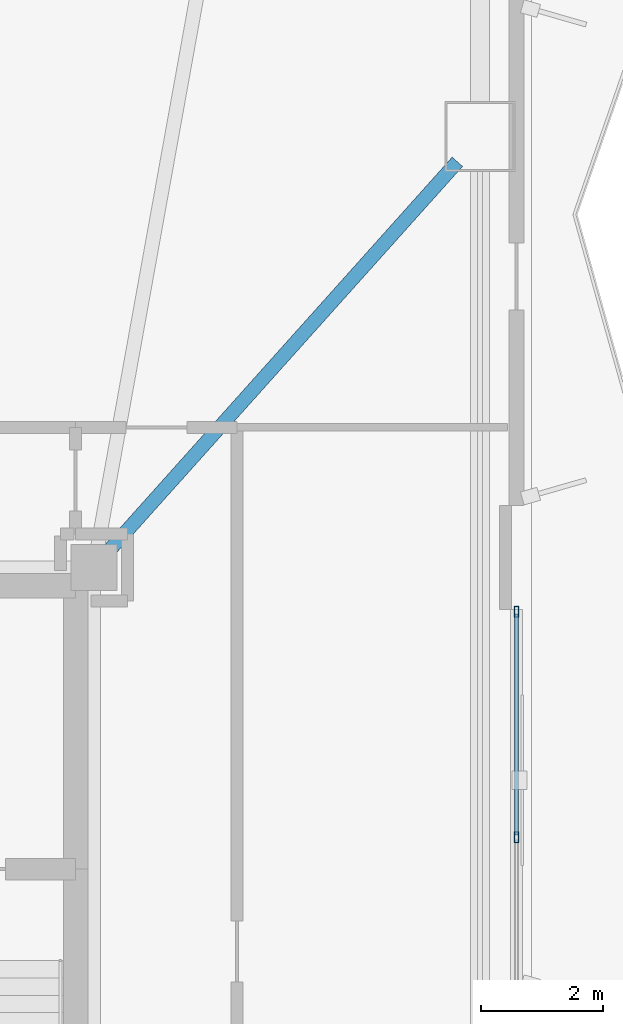
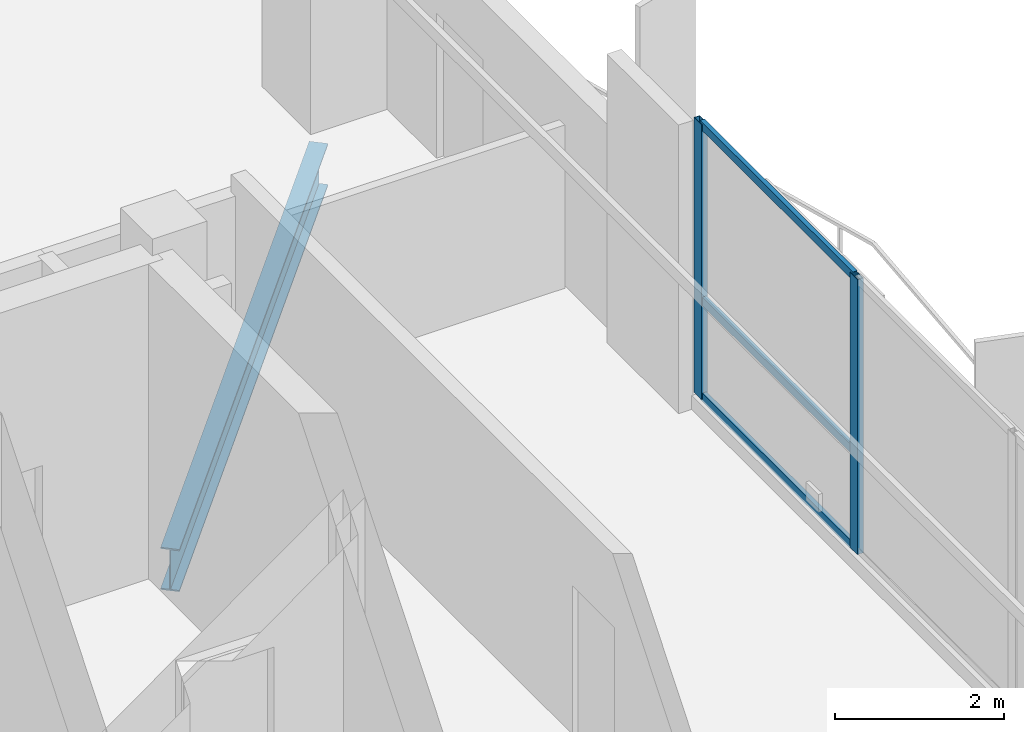
# One storey, part 9 of 20: 5 members, 1 beam, 1 element without a shape of its own.
"""IFC4 building model written with IfcOpenShell, lengths in metres."""

import ifcopenshell
import ifcopenshell.guid

model = None  # the IFC model being written
_history = None  # IfcOwnerHistory: only IFC2X3 demands one
_inside = {}  # id of a spatial element -> (the spatial element, [elements in it])
_under = {}  # id of a project, library or spatial element -> (it, [spatial elements below it])
_declared = {}  # id of a project -> (the project, [libraries it declares])
_typed = {}  # id of a type object -> (the type object, [elements of that type])
_made_of = {}  # id of a material, layer set ... -> (it, [elements and type objects made of it])


def new_model(schema):
    """Start an empty IFC model of exactly this schema.

    Asked for "IFC4X3", IfcOpenShell would pick the latest addendum, in which some entities
    have other attributes; the version numbers below select the first issue.
    IFC2X3 requires an IfcOwnerHistory on every rooted entity: one is made here for all.
    """
    global model, _history
    if schema == "IFC4X3":
        model = ifcopenshell.file(schema_version=(4, 3, 0, 0))
    else:
        model = ifcopenshell.file(schema=schema)
    _inside.clear()
    _under.clear()
    _declared.clear()
    _typed.clear()
    _made_of.clear()
    _history = None
    if model.schema == "IFC2X3":
        org = make("IfcOrganization", Name="unknown")
        user = make(
            "IfcPersonAndOrganization",
            ThePerson=make("IfcPerson", FamilyName="unknown"),
            TheOrganization=org,
        )
        app = make(
            "IfcApplication",
            ApplicationDeveloper=org,
            Version="unknown",
            ApplicationFullName="unknown",
            ApplicationIdentifier="unknown",
        )
        _history = make(
            "IfcOwnerHistory",
            OwningUser=user,
            OwningApplication=app,
            ChangeAction="ADDED",
            CreationDate=0,
        )
    return model


def make(cls, **values):
    """One entity of the class cls with the attributes given. An attribute that is None is left unset."""
    return model.create_entity(
        cls, **{name: value for name, value in values.items() if value is not None}
    )


def rooted(cls, **values):
    """An entity with a GlobalId (a new one), such as an element, a storey or a relation."""
    return make(cls, GlobalId=ifcopenshell.guid.new(), OwnerHistory=_history, **values)


def si_unit(unit_type, name, prefix=None):
    """IfcSIUnit, for example si_unit("LENGTHUNIT", "METRE", prefix="MILLI")."""
    return make("IfcSIUnit", UnitType=unit_type, Prefix=prefix, Name=name)


def assignment(units):
    """IfcUnitAssignment: the units of a project."""
    return None if units is None else make("IfcUnitAssignment", Units=units)


def point(xyz):
    """IfcCartesianPoint."""
    return None if xyz is None else make("IfcCartesianPoint", Coordinates=xyz)


def direction(xyz):
    """IfcDirection."""
    return None if xyz is None else make("IfcDirection", DirectionRatios=xyz)


def frame(location, z_axis=None, x_axis=None):
    """IfcAxis2Placement3D, a coordinate frame: its origin and axes. An axis left out is left unset."""
    return make(
        "IfcAxis2Placement3D",
        Location=point(location),
        Axis=direction(z_axis),
        RefDirection=direction(x_axis),
    )


def frame_2d(location, x_axis=None):
    """IfcAxis2Placement2D, a coordinate frame in the plane: its origin and x axis."""
    return make(
        "IfcAxis2Placement2D", Location=point(location), RefDirection=direction(x_axis)
    )


def origin():
    """The frame at (0, 0, 0) with its axes left unset."""
    return frame((0.0, 0.0, 0.0))


def origin_2d():
    """The frame at (0, 0) in the plane with its x axis left unset."""
    return frame_2d((0.0, 0.0))


def place(relative_to, where):
    """IfcLocalPlacement: puts the frame where relative to a parent placement (None: the world)."""
    return make(
        "IfcLocalPlacement", PlacementRelTo=relative_to, RelativePlacement=where
    )


def context(
    kind, dimensions, precision=None, world=None, true_north=None, identifier=None
):
    """IfcGeometricRepresentationContext, for example the 3D "Model" context."""
    return make(
        "IfcGeometricRepresentationContext",
        ContextIdentifier=identifier,
        ContextType=kind,
        CoordinateSpaceDimension=dimensions,
        Precision=precision,
        WorldCoordinateSystem=world,
        TrueNorth=true_north,
    )


def subcontext(parent, identifier, kind, view, scale=None):
    """IfcGeometricRepresentationSubContext, for example "Body" below "Model"."""
    return make(
        "IfcGeometricRepresentationSubContext",
        ContextIdentifier=identifier,
        ContextType=kind,
        ParentContext=parent,
        TargetScale=scale,
        TargetView=view,
    )


def project(units=None, contexts=None):
    """IfcProject with its units and contexts."""
    return rooted(
        "IfcProject",
        Name="project",
        RepresentationContexts=contexts,
        UnitsInContext=assignment(units),
    )


def spatial(cls, under=None, at=None, **own):
    """A site, building, storey or space (cls), placed at a placement, below another one or the project."""
    s = rooted(cls, ObjectPlacement=at, **own)
    if under is not None:
        _under.setdefault(under.id(), (under, []))[1].append(s)
    return s


def profile(cls, at=None, kind="AREA", **sizes):
    """A parametric profile (cls). Its sizes go by their IFC names, for example OverallWidth=200.0."""
    return make(cls, ProfileType=kind, Position=at, **sizes)


def hollow_rectangle(**sizes):
    """IfcRectangleHollowProfileDef."""
    return profile("IfcRectangleHollowProfileDef", **sizes)


def i_section(**sizes):
    """IfcIShapeProfileDef."""
    return profile("IfcIShapeProfileDef", **sizes)


def extrude(swept, where, along, depth):
    """IfcExtrudedAreaSolid: the profile swept, set in the frame where, extruded along a direction by depth."""
    return make(
        "IfcExtrudedAreaSolid",
        SweptArea=swept,
        Position=where,
        ExtrudedDirection=direction(along),
        Depth=depth,
    )


def shape(context_of_items, identifier, shape_type, items):
    """IfcShapeRepresentation: the items that make up one representation, for example the "Body"."""
    return make(
        "IfcShapeRepresentation",
        ContextOfItems=context_of_items,
        RepresentationIdentifier=identifier,
        RepresentationType=shape_type,
        Items=items,
    )


def material(Name=None, Category=None):
    """IfcMaterial."""
    return make("IfcMaterial", Name=Name, Category=Category)


def layer(
    of_material, thickness, ventilated=None, Name=None, Category=None, Priority=None
):
    """IfcMaterialLayer: one layer of a wall or slab, of a material (None: an air gap)."""
    return make(
        "IfcMaterialLayer",
        Material=of_material,
        LayerThickness=thickness,
        IsVentilated=ventilated,
        Name=Name,
        Category=Category,
        Priority=Priority,
    )


def layer_set(layers, Name=None):
    """IfcMaterialLayerSet."""
    return make("IfcMaterialLayerSet", MaterialLayers=layers, LayerSetName=Name)


def material_profile(
    of_material, cross_section, Name=None, Category=None, Priority=None
):
    """IfcMaterialProfile: a cross section and its material."""
    return make(
        "IfcMaterialProfile",
        Name=Name,
        Material=of_material,
        Profile=cross_section,
        Priority=Priority,
        Category=Category,
    )


def profile_set(profiles, Name=None, composite=None):
    """IfcMaterialProfileSet."""
    return make(
        "IfcMaterialProfileSet",
        Name=Name,
        MaterialProfiles=profiles,
        CompositeProfile=composite,
    )


def made_of(thing, what):
    """Note that an element or type object is made of a material, layer set ...; save() writes the relation."""
    if what is not None:
        _made_of.setdefault(what.id(), (what, []))[1].append(thing)
    return thing


def type_object(cls, material=None, **own):
    """A type object (cls), such as IfcWallType, which elements share."""
    return made_of(rooted(cls, **own), material)


def element(
    cls,
    number,
    at=None,
    inside=None,
    cuts=None,
    type_object=None,
    material=None,
    context=None,
    identifier="Body",
    shape_type=None,
    held_by="IfcProductDefinitionShape",
    body=None,
    shapes=None,
    **own,
):
    """One element of the class cls, such as IfcWall. Its Tag is "e" and its number.

    at: its placement. inside: the storey or other place that contains it. cuts: it is an
    opening in that element (IfcRelVoidsElement). A single representation is given by context,
    identifier, shape_type and body (its items); several are given by shapes. held_by: the class
    of the entity that holds the representations. save() writes the other relations.
    """
    e = rooted(cls, Tag="e%d" % number, ObjectPlacement=at, **own)
    if body is not None:
        shapes = [shape(context, identifier, shape_type, body)]
    if shapes is not None:
        e.Representation = make(held_by, Representations=shapes)
    if inside is not None:
        _inside.setdefault(inside.id(), (inside, []))[1].append(e)
    if cuts is not None:
        rooted(
            "IfcRelVoidsElement", RelatingBuildingElement=cuts, RelatedOpeningElement=e
        )
    if type_object is not None:
        _typed.setdefault(type_object.id(), (type_object, []))[1].append(e)
    return made_of(e, material)


def aggregate(whole, parts):
    """IfcRelAggregates: a whole, such as a stair, and the parts it consists of."""
    return rooted("IfcRelAggregates", RelatingObject=whole, RelatedObjects=parts)


def save(model, path):
    """Write the relations noted so far, then the file.

    IfcRelAggregates (storeys below a building ...), IfcRelContainedInSpatialStructure (elements
    in a storey), IfcRelDefinesByType, IfcRelAssociatesMaterial and IfcRelDeclares: one each for
    every whole, place, type object, material and project.
    """
    for whole, parts in _under.values():
        aggregate(whole, parts)
    for where, things in _inside.values():
        rooted(
            "IfcRelContainedInSpatialStructure",
            RelatedElements=things,
            RelatingStructure=where,
        )
    for kind, things in _typed.values():
        rooted("IfcRelDefinesByType", RelatedObjects=things, RelatingType=kind)
    for what, things in _made_of.values():
        rooted("IfcRelAssociatesMaterial", RelatedObjects=things, RelatingMaterial=what)
    for by, libraries in _declared.values():
        rooted("IfcRelDeclares", RelatingContext=by, RelatedDefinitions=libraries)
    model.write(path)


model = new_model("IFC4")

# Units and contexts
model_context = context("Model", 3, precision=1e-05, world=origin(), true_north=direction((0.0, 1.0)))
body_context = subcontext(model_context, "Body", "Model", "MODEL_VIEW")
ifc_project = project(units=[si_unit("LENGTHUNIT", "METRE"), si_unit("AREAUNIT", "SQUARE_METRE"), si_unit("VOLUMEUNIT", "CUBIC_METRE"), si_unit("PLANEANGLEUNIT", "RADIAN"), si_unit("MASSUNIT", "GRAM", prefix="KILO")], contexts=[model_context])

# Site, building, storey
site_placement = place(None, origin())
site = spatial("IfcSite", under=ifc_project, at=site_placement, CompositionType="ELEMENT")
building_placement = place(site_placement, origin())
building = spatial("IfcBuilding", under=site, at=building_placement, Name="Mersakhor Tower and Convention Hall", CompositionType="ELEMENT")
storey_placement = place(building_placement, frame((0.0, 0.0, 116.39990234375)))
storey = spatial("IfcBuildingStorey", under=building, at=storey_placement, Name="L32", CompositionType="ELEMENT", Elevation=116.39990234375)

# Beam
ifc_material_1 = material(Name="Steel S355", Category="steel")
ifc_material_profile_1 = material_profile(ifc_material_1, i_section(OverallWidth=0.22900390625, OverallDepth=0.6123046875, WebThickness=0.011962890625, FlangeThickness=0.01953125, at=origin_2d()), Name="UB 610x229x125")
ifc_profile_set_1 = profile_set([ifc_material_profile_1], Name="Steel S355")
beam_type = type_object("IfcBeamType", Name="BM-PR-610", PredefinedType="BEAM", material=ifc_profile_set_1)
beam_placement = place(storey_placement, frame((36.3369140625, 33.314453125, -0.5859375), z_axis=(0.667217091819, 0.744863311209, 0.0), x_axis=(-0.744863311209, 0.667217091819, 0.0)))
element("IfcBeam", 1, at=beam_placement, inside=storey, type_object=beam_type, Name="L32 Primary Floor Girder FG-3", PredefinedType="BEAM", context=body_context, shape_type="SweptSolid", body=[
    extrude(i_section(OverallWidth=0.22900390625, OverallDepth=0.6123046875, WebThickness=0.011962890625, FlangeThickness=0.01953125, at=origin_2d()), origin(), (0.0, 0.0, 1.0), 8.583740234375),
])

# Curtain wall, members
ifc_material_2 = material(Name="Dark solar low-E aluminium curtain wall", Category="aluminium")
ifc_layer = layer(ifc_material_2, 0.199951171875)
ifc_layer_set = layer_set([ifc_layer], Name="Dark solar low-E aluminium curtain wall")
curtain_wall_type = type_object("IfcCurtainWallType", Name="CW-SYS-05", PredefinedType="USERDEFINED", material=ifc_layer_set)
curtain_wall_placement = place(storey_placement, origin())
curtain_wall = element("IfcCurtainWall", 2, at=curtain_wall_placement, inside=storey, type_object=curtain_wall_type, Name="L32 Dark-Glass Curtain Wall F2-B2", ObjectType="CURTAIN WALL", PredefinedType="USERDEFINED")
ifc_material_3 = material(Name="Anodised aluminium EN AW-6063 T6", Category="aluminium")
ifc_material_profile_2 = material_profile(ifc_material_3, hollow_rectangle(XDim=0.080078125, YDim=0.179931640625, WallThickness=0.008056640625, at=origin_2d()), Name="RHS 180x80x8")
ifc_profile_set_2 = profile_set([ifc_material_profile_2], Name="Anodised aluminium EN AW-6063 T6")
member_type_1 = type_object("IfcMemberType", Name="CWM-180x80", PredefinedType="MULLION", material=ifc_profile_set_2)
member_1_placement = place(storey_placement, frame((43.03466796875, 32.32470703125, 0.2001953125), z_axis=(0.0, 0.0, 1.0), x_axis=(1.0, 0.0, 0.0)))
member_1 = element("IfcMember", 3, at=member_1_placement, type_object=member_type_1, Name="CW-05 mullion 1", PredefinedType="MULLION", context=body_context, shape_type="SweptSolid", body=[
    extrude(hollow_rectangle(XDim=0.080078125, YDim=0.179931640625, WallThickness=0.008056640625, at=origin_2d()), origin(), (0.0, 0.0, 1.0), 3.97998046875),
])
member_2_placement = place(storey_placement, frame((43.03466796875, 28.62158203125, 0.2001953125), z_axis=(0.0, 0.0, 1.0), x_axis=(1.0, 0.0, 0.0)))
member_2 = element("IfcMember", 4, at=member_2_placement, type_object=member_type_1, Name="CW-05 mullion 2", PredefinedType="MULLION", context=body_context, shape_type="SweptSolid", body=[
    extrude(hollow_rectangle(XDim=0.080078125, YDim=0.179931640625, WallThickness=0.008056640625, at=origin_2d()), origin(), (0.0, 0.0, 1.0), 3.97998046875),
])
ifc_material_4 = material(Name="Anodised aluminium EN AW-6063 T6", Category="aluminium")
ifc_material_profile_3 = material_profile(ifc_material_4, hollow_rectangle(XDim=0.06005859375, YDim=0.1201171875, WallThickness=0.0048828125, at=origin_2d()), Name="RHS 120x60x5")
ifc_profile_set_3 = profile_set([ifc_material_profile_3], Name="Anodised aluminium EN AW-6063 T6")
member_type_2 = type_object("IfcMemberType", Name="CWT-120x60", PredefinedType="USERDEFINED", material=ifc_profile_set_3)
member_3_placement = place(storey_placement, frame((43.03466796875, 32.284912109375, 0.22998046875), z_axis=(0.0, -1.0, 0.0), x_axis=(1.0, 0.0, 0.0)))
member_3 = element("IfcMember", 5, at=member_3_placement, type_object=member_type_2, Name="CW-05 transom 1.1", ObjectType="TRANSOM", PredefinedType="USERDEFINED", context=body_context, shape_type="SweptSolid", body=[
    extrude(hollow_rectangle(XDim=0.06005859375, YDim=0.1201171875, WallThickness=0.0048828125, at=origin_2d()), origin(), (0.0, 0.0, 1.0), 3.623291015625),
])
member_4_placement = place(storey_placement, frame((43.03466796875, 32.284912109375, 1.6201171875), z_axis=(0.0, -1.0, 0.0), x_axis=(1.0, 0.0, 0.0)))
member_4 = element("IfcMember", 6, at=member_4_placement, type_object=member_type_2, Name="CW-05 transom 1.2", ObjectType="TRANSOM", PredefinedType="USERDEFINED", context=body_context, shape_type="SweptSolid", body=[
    extrude(hollow_rectangle(XDim=0.06005859375, YDim=0.1201171875, WallThickness=0.0048828125, at=origin_2d()), origin(), (0.0, 0.0, 1.0), 3.623291015625),
])
member_5_placement = place(storey_placement, frame((43.03466796875, 32.284912109375, 4.150146484375), z_axis=(0.0, -1.0, 0.0), x_axis=(1.0, 0.0, 0.0)))
member_5 = element("IfcMember", 7, at=member_5_placement, type_object=member_type_2, Name="CW-05 transom 1.3", ObjectType="TRANSOM", PredefinedType="USERDEFINED", context=body_context, shape_type="SweptSolid", body=[
    extrude(hollow_rectangle(XDim=0.06005859375, YDim=0.1201171875, WallThickness=0.0048828125, at=origin_2d()), origin(), (0.0, 0.0, 1.0), 3.623291015625),
])
aggregate(curtain_wall, [member_1, member_2, member_3, member_4, member_5])

save(model, "model.ifc")
